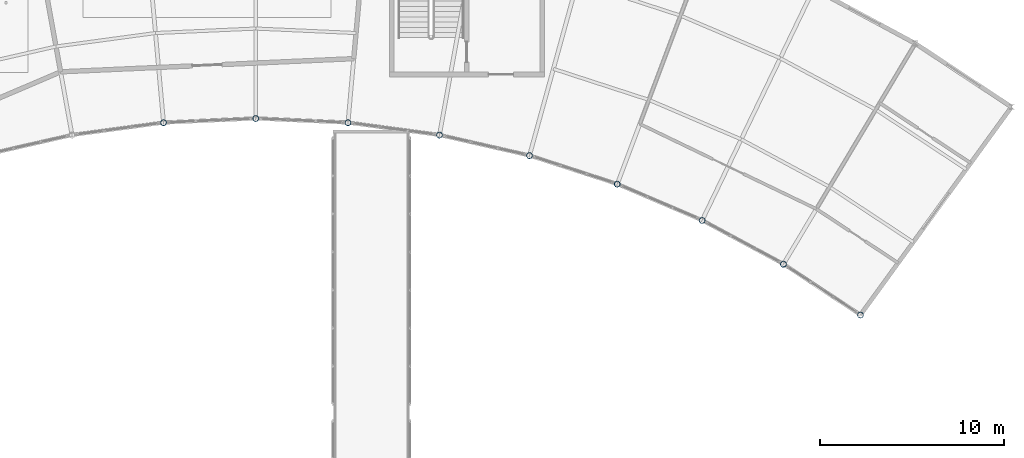
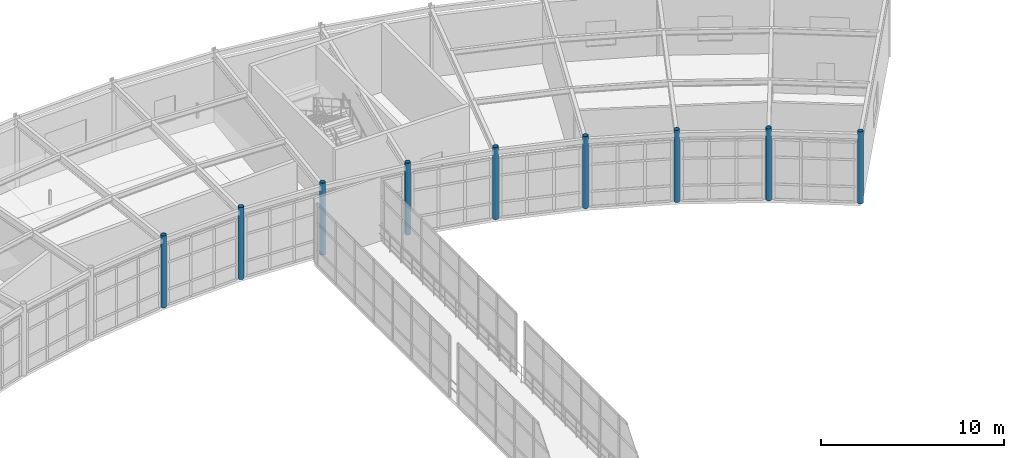
# One storey, part 11 of 105: 9 columns.
"""IFC4 building model written with IfcOpenShell, lengths in metres."""

from ifc_helpers import new_model, si_unit, direction, frame, origin, origin_2d, place, context, subcontext, project, spatial, hollow_circle, extrude, material, material_profile, profile_set, type_object, element, save


model = new_model("IFC4")

# Units and contexts
model_context = context("Model", 3, precision=1e-05, world=origin(), true_north=direction((0.0, 1.0)))
body_context = subcontext(model_context, "Body", "Model", "MODEL_VIEW")
ifc_project = project(units=[si_unit("LENGTHUNIT", "METRE"), si_unit("AREAUNIT", "SQUARE_METRE"), si_unit("VOLUMEUNIT", "CUBIC_METRE"), si_unit("PLANEANGLEUNIT", "RADIAN"), si_unit("MASSUNIT", "GRAM", prefix="KILO")], contexts=[model_context])

# Site, building, storey
site_placement = place(None, origin())
site = spatial("IfcSite", under=ifc_project, at=site_placement, CompositionType="ELEMENT")
building_placement = place(site_placement, origin())
building = spatial("IfcBuilding", under=site, at=building_placement, Name="Selat Folded Stagehouse", CompositionType="ELEMENT")
storey_placement = place(building_placement, frame((0.0, 0.0, 10.199951171875)))
storey = spatial("IfcBuildingStorey", under=building, at=storey_placement, Name="L02", CompositionType="ELEMENT", Elevation=10.199951171875)

# Columns
ifc_material = material(Name="Steel S355", Category="steel")
ifc_material_profile = material_profile(ifc_material, hollow_circle(Radius=0.161865234375, WallThickness=0.012451171875, at=origin_2d()), Name="CHS 323.9x12.5")
ifc_profile_set = profile_set([ifc_material_profile], Name="Steel S355")
column_type = type_object("IfcColumnType", Name="COL-CHS-323x12.5", PredefinedType="COLUMN", material=ifc_profile_set)
for number, where, z_axis, x_axis, name in (
    (1, (87.380126953125, 93.774658203125, 0.0), (0.0, 0.0, 1.0), (1.0, 0.0, 0.0), "L02 column STK-V6IN-06"),
    (2, (92.39990234375, 94.0, 0.0), (0.0, 0.0, 1.0), (1.0, 0.0, 0.0), "L02 column STK-V6IN-07"),
    (3, (97.419921875, 93.774658203125, 0.0), (0.0, 0.0, 1.0), (1.0, 0.0, 0.0), "L02 column STK-V6IN-08"),
    (4, (102.399169921875, 93.10009765625, 0.0), (0.0, 0.0, 1.0), (1.0, 0.0, 0.0), "L02 column STK-V6IN-09"),
    (5, (107.298095703125, 91.98193359375, 0.0), (0.0, 0.0, 1.0), (1.0, 0.0, 0.0), "L02 column STK-V6IN-10"),
    (6, (112.076904296875, 90.42919921875, 0.0), (0.0, 0.0, 1.0), (1.0, 0.0, 0.0), "L02 column STK-V6IN-11"),
    (7, (116.697509765625, 88.454345703125, 0.0), (0.0, 0.0, 1.0), (1.0, 0.0, 0.0), "L02 column STK-V6IN-12"),
    (8, (121.122314453125, 86.072998046875, 0.0), (0.0, 0.0, 1.0), (1.0, 0.0, 0.0), "L02 column STK-V6IN-13"),
    (9, (125.31591796875, 83.304931640625, 0.0), (0.0, 0.0, 1.0), (1.0, 0.0, 0.0), "L02 column STK-V6IN-14"),
):
    element("IfcColumn", number, at=place(storey_placement, frame(where, z_axis=z_axis, x_axis=x_axis)), inside=storey, type_object=column_type, Name=name, PredefinedType="COLUMN", context=body_context, shape_type="SweptSolid", body=[
        extrude(hollow_circle(Radius=0.161865234375, WallThickness=0.012451171875, at=origin_2d()), origin(), (0.0, 0.0, 1.0), 4.800048828125),
    ])

save(model, "model.ifc")
